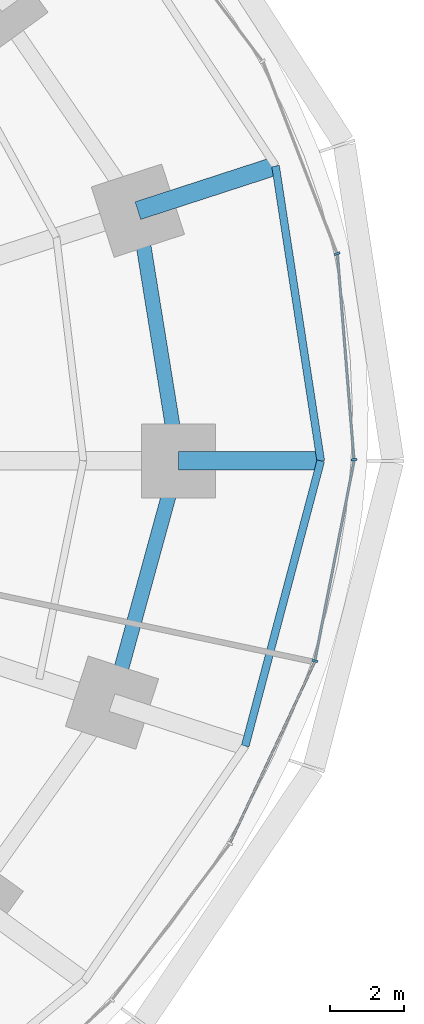
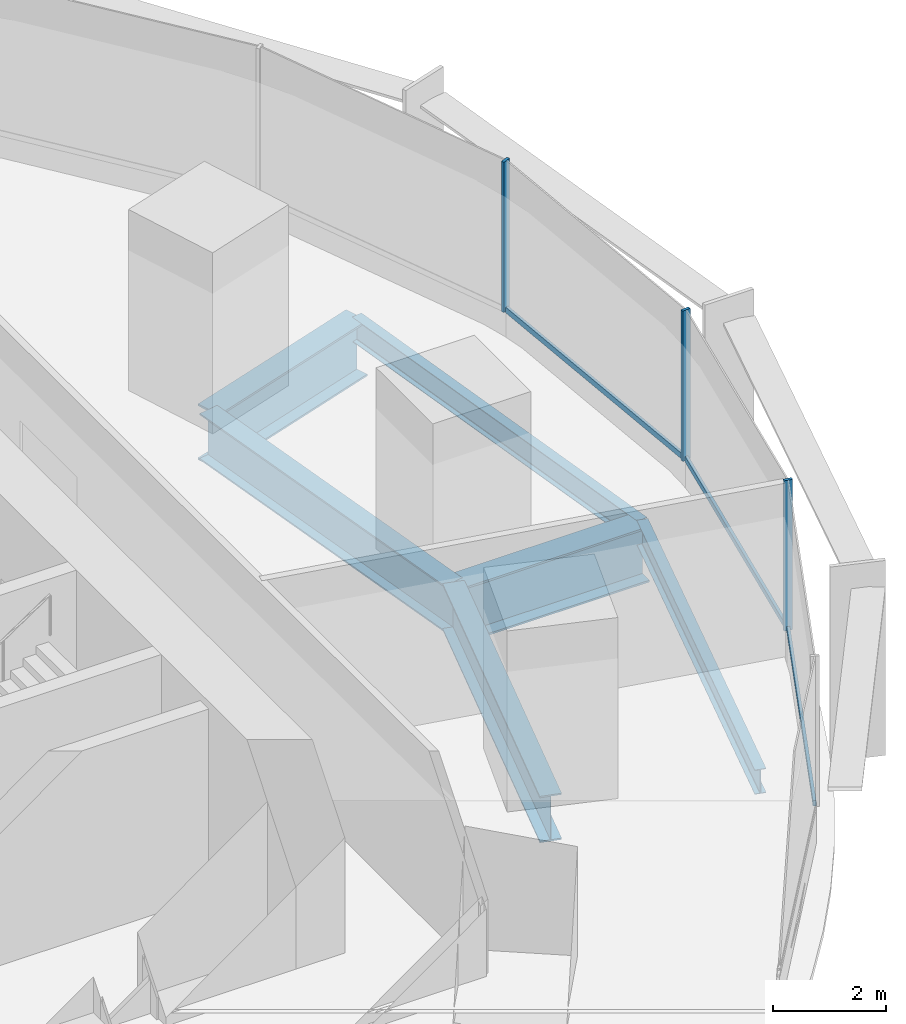
# One storey, part 6 of 15: 6 beams, 6 members, 2 elements without a shape of their own.
"""IFC4 building model written with IfcOpenShell, lengths in metres."""

from ifc_helpers import new_model, si_unit, direction, frame, origin, origin_2d, place, context, subcontext, project, spatial, rectangle, i_section, extrude, material, material_profile, profile_set, type_object, element, aggregate, save


model = new_model("IFC4")

# Units and contexts
model_context = context("Model", 3, precision=1e-05, world=origin(), true_north=direction((0.0, 1.0)))
body_context = subcontext(model_context, "Body", "Model", "MODEL_VIEW")
ifc_project = project(units=[si_unit("LENGTHUNIT", "METRE"), si_unit("AREAUNIT", "SQUARE_METRE"), si_unit("VOLUMEUNIT", "CUBIC_METRE"), si_unit("PLANEANGLEUNIT", "RADIAN"), si_unit("MASSUNIT", "GRAM", prefix="KILO")], contexts=[model_context])

# Site, building, storey
site_placement = place(None, origin())
site = spatial("IfcSite", under=ifc_project, at=site_placement, CompositionType="ELEMENT")
building_placement = place(site_placement, origin())
building = spatial("IfcBuilding", under=site, at=building_placement, Name="Marramba Exchange Tower", CompositionType="ELEMENT")
storey_placement = place(building_placement, frame((0.0, 0.0, 36.39990234375)))
storey = spatial("IfcBuildingStorey", under=building, at=storey_placement, Name="L08", CompositionType="ELEMENT", Elevation=36.39990234375)

# Beams
ifc_material_1 = material(Name="Steel AS/NZS 3679.2 grade 300", Category="steel")
ifc_material_profile_1 = material_profile(ifc_material_1, i_section(OverallWidth=0.5, OverallDepth=1.199951171875, WebThickness=0.01611328125, FlangeThickness=0.0400390625, at=origin_2d()), Name="1200WB455")
ifc_profile_set_1 = profile_set([ifc_material_profile_1], Name="Steel AS/NZS 3679.2 grade 300")
beam_type_1 = type_object("IfcBeamType", Name="Cantilever girder 1200WB455", PredefinedType="BEAM", material=ifc_profile_set_1)
beam_1_placement = place(storey_placement, frame((21.89990234375, 0.0, -0.760009765625), z_axis=(1.0, 0.0, 0.0), x_axis=(0.0, 1.0, 0.0)))
element("IfcBeam", 1, at=beam_1_placement, inside=storey, type_object=beam_type_1, Name="Cantilever girder L08 TC01", PredefinedType="BEAM", context=body_context, shape_type="SweptSolid", body=[
    extrude(i_section(OverallWidth=0.5, OverallDepth=1.199951171875, WebThickness=0.01611328125, FlangeThickness=0.0400390625, at=origin_2d()), origin(), (0.0, 0.0, 1.0), 3.85009765625),
])
beam_2_placement = place(storey_placement, frame((20.808349609375, 6.760986328125, -0.760009765625), z_axis=(0.951058833549, 0.309009862508, 0.0), x_axis=(-0.309009862508, 0.951058833549, 0.0)))
element("IfcBeam", 2, at=beam_2_placement, inside=storey, type_object=beam_type_1, Name="Cantilever girder L08 TC02", PredefinedType="BEAM", context=body_context, shape_type="SweptSolid", body=[
    extrude(i_section(OverallWidth=0.5, OverallDepth=1.199951171875, WebThickness=0.01611328125, FlangeThickness=0.0400390625, at=origin_2d()), origin(), (0.0, 0.0, 1.0), 3.91162109375),
])
ifc_material_profile_2 = material_profile(ifc_material_1, i_section(OverallWidth=0.39990234375, OverallDepth=1.0, WebThickness=0.01611328125, FlangeThickness=0.031982421875, at=origin_2d()), Name="1000WB322")
ifc_profile_set_2 = profile_set([ifc_material_profile_2], Name="Steel AS/NZS 3679.2 grade 300")
beam_type_2 = type_object("IfcBeamType", Name="Ring beam 1000WB322", PredefinedType="SPANDREL", material=ifc_profile_set_2)
beam_3_placement = place(storey_placement, frame((21.89990234375, 0.0, -0.659912109375), z_axis=(-0.159384865399, 0.987216523708, 0.0), x_axis=(-0.987216523708, -0.159384865399, 0.0)))
element("IfcBeam", 3, at=beam_3_placement, inside=storey, type_object=beam_type_2, Name="Ring beam L08 TC01-TC02", PredefinedType="SPANDREL", context=body_context, shape_type="SweptSolid", body=[
    extrude(i_section(OverallWidth=0.39990234375, OverallDepth=1.0, WebThickness=0.01611328125, FlangeThickness=0.031982421875, at=origin_2d()), origin(), (0.0, 0.0, 1.0), 6.8486328125),
])
beam_4_placement = place(storey_placement, frame((20.109375, -6.533935546875, -0.659912109375), z_axis=(0.264291166956, 0.964442937176, 0.0), x_axis=(-0.964442937176, 0.264291166956, 0.0)))
element("IfcBeam", 4, at=beam_4_placement, inside=storey, type_object=beam_type_2, Name="Ring beam L08 TC20-TC01", PredefinedType="SPANDREL", context=body_context, shape_type="SweptSolid", body=[
    extrude(i_section(OverallWidth=0.39990234375, OverallDepth=1.0, WebThickness=0.01611328125, FlangeThickness=0.031982421875, at=origin_2d()), origin(), (0.0, 0.0, 1.0), 6.77490234375),
])
ifc_material_2 = material(Name="Steel AS/NZS 3679.1 grade 300", Category="steel")
ifc_material_profile_3 = material_profile(ifc_material_2, i_section(OverallWidth=0.208984375, OverallDepth=0.528076171875, WebThickness=0.009521484375, FlangeThickness=0.01318359375, FilletRadius=0.013916015625, at=origin_2d()), Name="530UB82.0")
ifc_profile_set_3 = profile_set([ifc_material_profile_3], Name="Steel AS/NZS 3679.1 grade 300")
beam_type_3 = type_object("IfcBeamType", Name="Slab edge beam 530UB82.0", PredefinedType="SPANDREL", material=ifc_profile_set_3)
beam_5_placement = place(storey_placement, frame((25.75, 0.0, -0.423828125), z_axis=(-0.151490591645, 0.988458699513, 0.0), x_axis=(-0.988458699513, -0.151490591645, 0.0)))
element("IfcBeam", 5, at=beam_5_placement, inside=storey, type_object=beam_type_3, Name="Slab edge beam L08 TC01-TC02", PredefinedType="SPANDREL", context=body_context, shape_type="SweptSolid", body=[
    extrude(i_section(OverallWidth=0.208984375, OverallDepth=0.528076171875, WebThickness=0.009521484375, FlangeThickness=0.01318359375, FilletRadius=0.013916015625, at=origin_2d()), origin(), (0.0, 0.0, 1.0), 8.062744140625),
])
beam_6_placement = place(storey_placement, frame((23.709716796875, -7.703857421875, -0.423828125), z_axis=(0.25601296674, 0.966673347549, 0.0), x_axis=(-0.966673347549, 0.25601296674, 0.0)))
element("IfcBeam", 6, at=beam_6_placement, inside=storey, type_object=beam_type_3, Name="Slab edge beam L08 TC20-TC01", PredefinedType="SPANDREL", context=body_context, shape_type="SweptSolid", body=[
    extrude(i_section(OverallWidth=0.208984375, OverallDepth=0.528076171875, WebThickness=0.009521484375, FlangeThickness=0.01318359375, FilletRadius=0.013916015625, at=origin_2d()), origin(), (0.0, 0.0, 1.0), 7.969482421875),
])

# Curtain wall, members
ifc_material_3 = material(Name="Aluminium framing, bronze anodised", Category="aluminium")
curtain_wall_type = type_object("IfcCurtainWallType", Name="Trading floor ribbon curtain wall", PredefinedType="USERDEFINED", material=ifc_material_3)
curtain_wall_1_placement = place(storey_placement, origin())
curtain_wall_1 = element("IfcCurtainWall", 7, at=curtain_wall_1_placement, inside=storey, type_object=curtain_wall_type, Name="Curtain wall CW3 L08 F01-F05", ObjectType="RIBBON CURTAIN WALL", PredefinedType="USERDEFINED")
ifc_material_4 = material(Name="Aluminium mullion, bronze anodised", Category="aluminium")
ifc_material_profile_4 = material_profile(ifc_material_4, rectangle(XDim=0.159912109375, YDim=0.06005859375, at=origin_2d()), Name="CW3 mullion 60x160")
ifc_profile_set_4 = profile_set([ifc_material_profile_4], Name="Aluminium mullion, bronze anodised")
member_type_1 = type_object("IfcMemberType", Name="Trading floor ribbon curtain wall mullion", PredefinedType="MULLION", material=ifc_profile_set_4)
member_1_placement = place(storey_placement, frame((26.647705078125, 0.02978515625, 0.800048828125), z_axis=(0.0, 0.0, 1.0), x_axis=(-0.996772736434, -0.080275225953, 0.0)))
member_1 = element("IfcMember", 8, at=member_1_placement, type_object=member_type_1, Name="CW3 mullion 1", PredefinedType="MULLION", context=body_context, shape_type="SweptSolid", body=[
    extrude(rectangle(XDim=0.159912109375, YDim=0.06005859375, at=origin_2d()), origin(), (0.0, 0.0, 1.0), 3.239990234375),
])
member_2_placement = place(storey_placement, frame((26.190673828125, 5.597412109375, 0.800048828125), z_axis=(0.0, 0.0, 1.0), x_axis=(-0.933135256626, -0.359525510698, 0.0)))
member_2 = element("IfcMember", 9, at=member_2_placement, type_object=member_type_1, Name="CW3 mullion 1", PredefinedType="MULLION", context=body_context, shape_type="SweptSolid", body=[
    extrude(rectangle(XDim=0.159912109375, YDim=0.06005859375, at=origin_2d()), origin(), (0.0, 0.0, 1.0), 3.239990234375),
])

# Curtain wall, member
curtain_wall_2_placement = place(storey_placement, origin())
curtain_wall_2 = element("IfcCurtainWall", 10, at=curtain_wall_2_placement, inside=storey, type_object=curtain_wall_type, Name="Curtain wall CW3 L08 F26-F30", ObjectType="RIBBON CURTAIN WALL", PredefinedType="USERDEFINED")
member_3_placement = place(storey_placement, frame((25.59033203125, -5.40869140625, 0.800048828125), z_axis=(0.0, 0.0, 1.0), x_axis=(-0.981346261612, 0.1922485756, 0.0)))
member_3 = element("IfcMember", 11, at=member_3_placement, type_object=member_type_1, Name="CW3 mullion 1", PredefinedType="MULLION", context=body_context, shape_type="SweptSolid", body=[
    extrude(rectangle(XDim=0.159912109375, YDim=0.06005859375, at=origin_2d()), origin(), (0.0, 0.0, 1.0), 3.239990234375),
])

# Member
ifc_material_5 = material(Name="Aluminium transom, bronze anodised", Category="aluminium")
ifc_material_profile_5 = material_profile(ifc_material_5, rectangle(XDim=0.06005859375, YDim=0.1201171875, at=origin_2d()), Name="CW3 transom 60x120")
ifc_profile_set_5 = profile_set([ifc_material_profile_5], Name="Aluminium transom, bronze anodised")
member_type_2 = type_object("IfcMemberType", Name="Trading floor ribbon curtain wall transom", PredefinedType="USERDEFINED", material=ifc_profile_set_5)
member_4_placement = place(storey_placement, frame((26.645263671875, 0.059814453125, 0.830078125), z_axis=(-0.080299960686, 0.99677074411, 0.0), x_axis=(-0.99677074411, -0.080299960686, 0.0)))
member_4 = element("IfcMember", 12, at=member_4_placement, type_object=member_type_2, Name="CW3 sill transom", ObjectType="TRANSOM", PredefinedType="USERDEFINED", context=body_context, shape_type="SweptSolid", body=[
    extrude(rectangle(XDim=0.06005859375, YDim=0.1201171875, at=origin_2d()), origin(), (0.0, 0.0, 1.0), 5.52734375),
])

aggregate(curtain_wall_1, [member_1, member_4, member_2])

member_5_placement = place(storey_placement, frame((23.306640625, -10.31103515625, 0.830078125), z_axis=(0.423511514213, 0.905890720412, 0.0), x_axis=(-0.905890720412, 0.423511514213, 0.0)))
member_5 = element("IfcMember", 13, at=member_5_placement, type_object=member_type_2, Name="CW3 sill transom", ObjectType="TRANSOM", PredefinedType="USERDEFINED", context=body_context, shape_type="SweptSolid", body=[
    extrude(rectangle(XDim=0.06005859375, YDim=0.1201171875, at=origin_2d()), origin(), (0.0, 0.0, 1.0), 5.37890625),
])

member_6_placement = place(storey_placement, frame((25.59619140625, -5.37939453125, 0.830078125), z_axis=(0.192226081646, 0.981350667975, 0.0), x_axis=(-0.981350667975, 0.192226081646, 0.0)))
member_6 = element("IfcMember", 14, at=member_6_placement, type_object=member_type_2, Name="CW3 sill transom", ObjectType="TRANSOM", PredefinedType="USERDEFINED", context=body_context, shape_type="SweptSolid", body=[
    extrude(rectangle(XDim=0.06005859375, YDim=0.1201171875, at=origin_2d()), origin(), (0.0, 0.0, 1.0), 5.481689453125),
])

aggregate(curtain_wall_2, [member_5, member_3, member_6])

save(model, "model.ifc")
